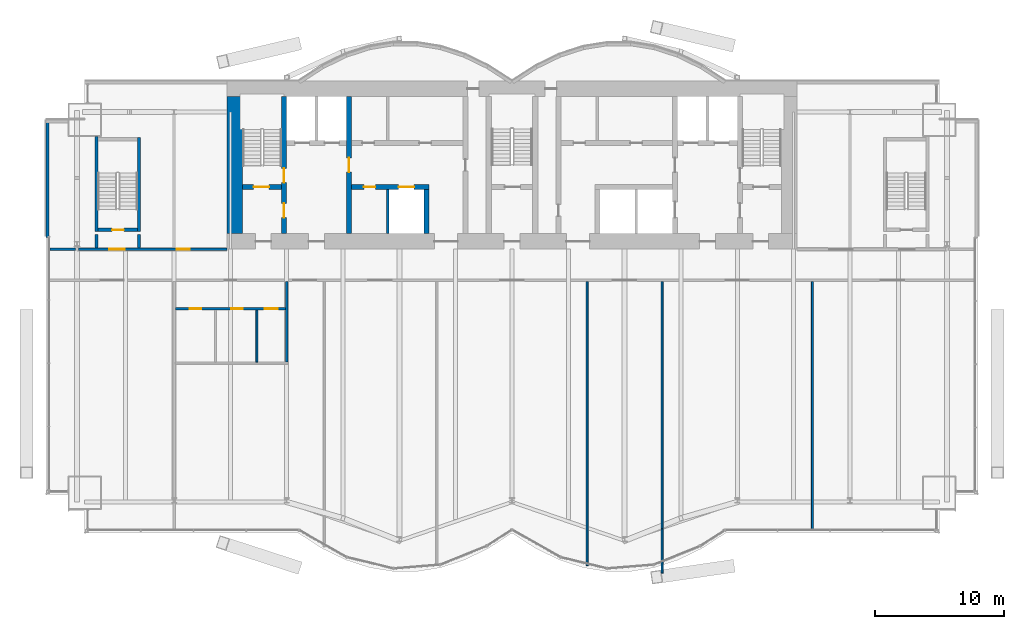
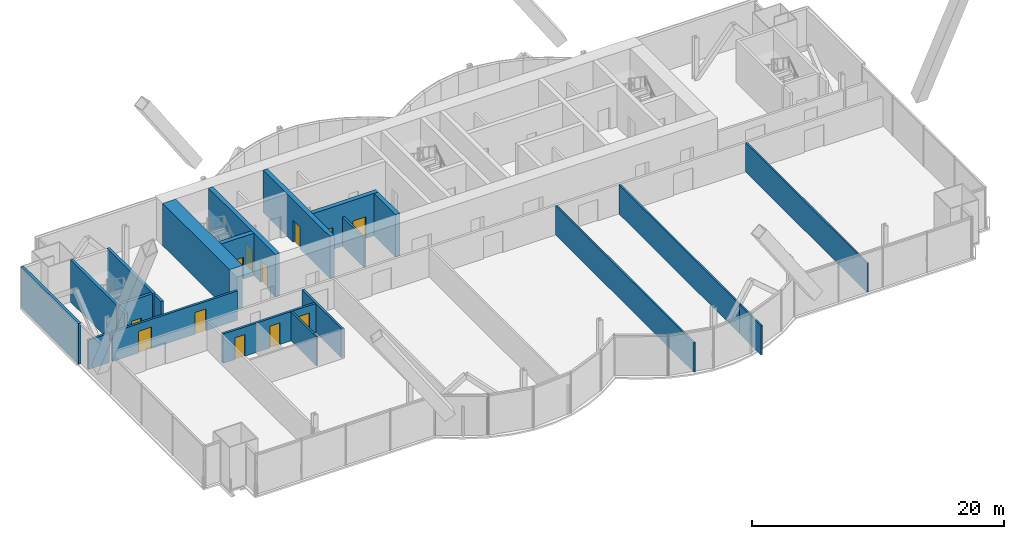
# One storey, part 18 of 24: 22 walls, 12 doors, 12 openings.
"""IFC4 building model written with IfcOpenShell, lengths in metres."""

import ifcopenshell
import ifcopenshell.guid

model = None  # the IFC model being written
_history = None  # IfcOwnerHistory: only IFC2X3 demands one
_inside = {}  # id of a spatial element -> (the spatial element, [elements in it])
_under = {}  # id of a project, library or spatial element -> (it, [spatial elements below it])
_declared = {}  # id of a project -> (the project, [libraries it declares])
_typed = {}  # id of a type object -> (the type object, [elements of that type])
_made_of = {}  # id of a material, layer set ... -> (it, [elements and type objects made of it])


def new_model(schema):
    """Start an empty IFC model of exactly this schema.

    Asked for "IFC4X3", IfcOpenShell would pick the latest addendum, in which some entities
    have other attributes; the version numbers below select the first issue.
    IFC2X3 requires an IfcOwnerHistory on every rooted entity: one is made here for all.
    """
    global model, _history
    if schema == "IFC4X3":
        model = ifcopenshell.file(schema_version=(4, 3, 0, 0))
    else:
        model = ifcopenshell.file(schema=schema)
    _inside.clear()
    _under.clear()
    _declared.clear()
    _typed.clear()
    _made_of.clear()
    _history = None
    if model.schema == "IFC2X3":
        org = make("IfcOrganization", Name="unknown")
        user = make(
            "IfcPersonAndOrganization",
            ThePerson=make("IfcPerson", FamilyName="unknown"),
            TheOrganization=org,
        )
        app = make(
            "IfcApplication",
            ApplicationDeveloper=org,
            Version="unknown",
            ApplicationFullName="unknown",
            ApplicationIdentifier="unknown",
        )
        _history = make(
            "IfcOwnerHistory",
            OwningUser=user,
            OwningApplication=app,
            ChangeAction="ADDED",
            CreationDate=0,
        )
    return model


def make(cls, **values):
    """One entity of the class cls with the attributes given. An attribute that is None is left unset."""
    return model.create_entity(
        cls, **{name: value for name, value in values.items() if value is not None}
    )


def rooted(cls, **values):
    """An entity with a GlobalId (a new one), such as an element, a storey or a relation."""
    return make(cls, GlobalId=ifcopenshell.guid.new(), OwnerHistory=_history, **values)


def si_unit(unit_type, name, prefix=None):
    """IfcSIUnit, for example si_unit("LENGTHUNIT", "METRE", prefix="MILLI")."""
    return make("IfcSIUnit", UnitType=unit_type, Prefix=prefix, Name=name)


def assignment(units):
    """IfcUnitAssignment: the units of a project."""
    return None if units is None else make("IfcUnitAssignment", Units=units)


def point(xyz):
    """IfcCartesianPoint."""
    return None if xyz is None else make("IfcCartesianPoint", Coordinates=xyz)


def direction(xyz):
    """IfcDirection."""
    return None if xyz is None else make("IfcDirection", DirectionRatios=xyz)


def frame(location, z_axis=None, x_axis=None):
    """IfcAxis2Placement3D, a coordinate frame: its origin and axes. An axis left out is left unset."""
    return make(
        "IfcAxis2Placement3D",
        Location=point(location),
        Axis=direction(z_axis),
        RefDirection=direction(x_axis),
    )


def frame_2d(location, x_axis=None):
    """IfcAxis2Placement2D, a coordinate frame in the plane: its origin and x axis."""
    return make(
        "IfcAxis2Placement2D", Location=point(location), RefDirection=direction(x_axis)
    )


def origin():
    """The frame at (0, 0, 0) with its axes left unset."""
    return frame((0.0, 0.0, 0.0))


def place(relative_to, where):
    """IfcLocalPlacement: puts the frame where relative to a parent placement (None: the world)."""
    return make(
        "IfcLocalPlacement", PlacementRelTo=relative_to, RelativePlacement=where
    )


def context(
    kind, dimensions, precision=None, world=None, true_north=None, identifier=None
):
    """IfcGeometricRepresentationContext, for example the 3D "Model" context."""
    return make(
        "IfcGeometricRepresentationContext",
        ContextIdentifier=identifier,
        ContextType=kind,
        CoordinateSpaceDimension=dimensions,
        Precision=precision,
        WorldCoordinateSystem=world,
        TrueNorth=true_north,
    )


def subcontext(parent, identifier, kind, view, scale=None):
    """IfcGeometricRepresentationSubContext, for example "Body" below "Model"."""
    return make(
        "IfcGeometricRepresentationSubContext",
        ContextIdentifier=identifier,
        ContextType=kind,
        ParentContext=parent,
        TargetScale=scale,
        TargetView=view,
    )


def project(units=None, contexts=None):
    """IfcProject with its units and contexts."""
    return rooted(
        "IfcProject",
        Name="project",
        RepresentationContexts=contexts,
        UnitsInContext=assignment(units),
    )


def spatial(cls, under=None, at=None, **own):
    """A site, building, storey or space (cls), placed at a placement, below another one or the project."""
    s = rooted(cls, ObjectPlacement=at, **own)
    if under is not None:
        _under.setdefault(under.id(), (under, []))[1].append(s)
    return s


def profile(cls, at=None, kind="AREA", **sizes):
    """A parametric profile (cls). Its sizes go by their IFC names, for example OverallWidth=200.0."""
    return make(cls, ProfileType=kind, Position=at, **sizes)


def rectangle(**sizes):
    """IfcRectangleProfileDef."""
    return profile("IfcRectangleProfileDef", **sizes)


def extrude(swept, where, along, depth):
    """IfcExtrudedAreaSolid: the profile swept, set in the frame where, extruded along a direction by depth."""
    return make(
        "IfcExtrudedAreaSolid",
        SweptArea=swept,
        Position=where,
        ExtrudedDirection=direction(along),
        Depth=depth,
    )


def shape(context_of_items, identifier, shape_type, items):
    """IfcShapeRepresentation: the items that make up one representation, for example the "Body"."""
    return make(
        "IfcShapeRepresentation",
        ContextOfItems=context_of_items,
        RepresentationIdentifier=identifier,
        RepresentationType=shape_type,
        Items=items,
    )


def material(Name=None, Category=None):
    """IfcMaterial."""
    return make("IfcMaterial", Name=Name, Category=Category)


def layer(
    of_material, thickness, ventilated=None, Name=None, Category=None, Priority=None
):
    """IfcMaterialLayer: one layer of a wall or slab, of a material (None: an air gap)."""
    return make(
        "IfcMaterialLayer",
        Material=of_material,
        LayerThickness=thickness,
        IsVentilated=ventilated,
        Name=Name,
        Category=Category,
        Priority=Priority,
    )


def layer_set(layers, Name=None):
    """IfcMaterialLayerSet."""
    return make("IfcMaterialLayerSet", MaterialLayers=layers, LayerSetName=Name)


def layer_usage(for_layer_set, set_direction, sense, offset, extent=None):
    """IfcMaterialLayerSetUsage: how a layer set lies in its element."""
    return make(
        "IfcMaterialLayerSetUsage",
        ForLayerSet=for_layer_set,
        LayerSetDirection=set_direction,
        DirectionSense=sense,
        OffsetFromReferenceLine=offset,
        ReferenceExtent=extent,
    )


def made_of(thing, what):
    """Note that an element or type object is made of a material, layer set ...; save() writes the relation."""
    if what is not None:
        _made_of.setdefault(what.id(), (what, []))[1].append(thing)
    return thing


def type_object(cls, material=None, **own):
    """A type object (cls), such as IfcWallType, which elements share."""
    return made_of(rooted(cls, **own), material)


def element(
    cls,
    number,
    at=None,
    inside=None,
    cuts=None,
    type_object=None,
    material=None,
    context=None,
    identifier="Body",
    shape_type=None,
    held_by="IfcProductDefinitionShape",
    body=None,
    shapes=None,
    **own,
):
    """One element of the class cls, such as IfcWall. Its Tag is "e" and its number.

    at: its placement. inside: the storey or other place that contains it. cuts: it is an
    opening in that element (IfcRelVoidsElement). A single representation is given by context,
    identifier, shape_type and body (its items); several are given by shapes. held_by: the class
    of the entity that holds the representations. save() writes the other relations.
    """
    e = rooted(cls, Tag="e%d" % number, ObjectPlacement=at, **own)
    if body is not None:
        shapes = [shape(context, identifier, shape_type, body)]
    if shapes is not None:
        e.Representation = make(held_by, Representations=shapes)
    if inside is not None:
        _inside.setdefault(inside.id(), (inside, []))[1].append(e)
    if cuts is not None:
        rooted(
            "IfcRelVoidsElement", RelatingBuildingElement=cuts, RelatedOpeningElement=e
        )
    if type_object is not None:
        _typed.setdefault(type_object.id(), (type_object, []))[1].append(e)
    return made_of(e, material)


def fill(opening, filler):
    """IfcRelFillsElement: the door or window that sits in an opening."""
    return rooted(
        "IfcRelFillsElement",
        RelatingOpeningElement=opening,
        RelatedBuildingElement=filler,
    )


def aggregate(whole, parts):
    """IfcRelAggregates: a whole, such as a stair, and the parts it consists of."""
    return rooted("IfcRelAggregates", RelatingObject=whole, RelatedObjects=parts)


def save(model, path):
    """Write the relations noted so far, then the file.

    IfcRelAggregates (storeys below a building ...), IfcRelContainedInSpatialStructure (elements
    in a storey), IfcRelDefinesByType, IfcRelAssociatesMaterial and IfcRelDeclares: one each for
    every whole, place, type object, material and project.
    """
    for whole, parts in _under.values():
        aggregate(whole, parts)
    for where, things in _inside.values():
        rooted(
            "IfcRelContainedInSpatialStructure",
            RelatedElements=things,
            RelatingStructure=where,
        )
    for kind, things in _typed.values():
        rooted("IfcRelDefinesByType", RelatedObjects=things, RelatingType=kind)
    for what, things in _made_of.values():
        rooted("IfcRelAssociatesMaterial", RelatedObjects=things, RelatingMaterial=what)
    for by, libraries in _declared.values():
        rooted("IfcRelDeclares", RelatingContext=by, RelatedDefinitions=libraries)
    model.write(path)


model = new_model("IFC4")

# Units and contexts
model_context = context("Model", 3, precision=1e-05, world=origin(), true_north=direction((0.0, 1.0)))
body_context = subcontext(model_context, "Body", "Model", "MODEL_VIEW")
ifc_project = project(units=[si_unit("LENGTHUNIT", "METRE"), si_unit("AREAUNIT", "SQUARE_METRE"), si_unit("VOLUMEUNIT", "CUBIC_METRE"), si_unit("PLANEANGLEUNIT", "RADIAN"), si_unit("MASSUNIT", "GRAM", prefix="KILO")], contexts=[model_context])

# Site, building, storey
site_placement = place(None, origin())
site = spatial("IfcSite", under=ifc_project, at=site_placement, CompositionType="ELEMENT")
building_placement = place(site_placement, origin())
building = spatial("IfcBuilding", under=site, at=building_placement, Name="Bicima Exchange Tower", CompositionType="ELEMENT")
storey_placement = place(building_placement, frame((0.0, 0.0, 160.89990234375)))
storey = spatial("IfcBuildingStorey", under=building, at=storey_placement, Name="L35", CompositionType="ELEMENT", Elevation=160.89990234375)

# Wall
ifc_material_1 = material(Name="Gypsum board partition")
ifc_layer_1 = layer(ifc_material_1, 0.199951171875)
ifc_layer_set_1 = layer_set([ifc_layer_1], Name="Gypsum board partition")
wall_type_1 = type_object("IfcWallType", Name="Fire-rated gypsum partition 200 EI120", PredefinedType="PARTITIONING", material=ifc_layer_set_1)
wall_1_placement = place(storey_placement, frame((-9.60009765625, -11.800048828125, 0.0), z_axis=(0.0, 0.0, 1.0), x_axis=(0.0, 1.0, 0.0)))
element("IfcWall", 1, at=wall_1_placement, inside=storey, type_object=wall_type_1, Name="partition wall 11", PredefinedType="PARTITIONING", context=body_context, shape_type="SweptSolid", body=[
    extrude(rectangle(XDim=3.400146484375, YDim=0.199951171875, at=frame_2d((1.7001953125, 0.0))), origin(), (0.0, 0.0, 1.0), 2.840576171875),
])

# Wall, openings, doors
ifc_layer_2 = layer(ifc_material_1, 0.199951171875)
ifc_layer_set_2 = layer_set([ifc_layer_2], Name="Gypsum board partition")
wall_type_2 = type_object("IfcWallType", Name="Fire-rated gypsum partition 200 EI60", PredefinedType="PARTITIONING", material=ifc_layer_set_2)
wall_2_placement = place(storey_placement, frame((-26.0, -17.60009765625, 0.0), z_axis=(0.0, 0.0, 1.0), x_axis=(1.0, 0.0, 0.0)))
wall_2 = element("IfcWall", 2, at=wall_2_placement, inside=storey, type_object=wall_type_2, Name="partition wall 2", PredefinedType="PARTITIONING", context=body_context, shape_type="SweptSolid", body=[
    extrude(rectangle(XDim=8.5, YDim=0.199951171875, at=frame_2d((4.25, 0.0))), origin(), (0.0, 0.0, 1.0), 2.840576171875),
])
opening_1_placement = place(wall_2_placement, frame((1.10009765625, 0.0, 0.0)))
opening_1 = element("IfcOpeningElement", 3, at=opening_1_placement, cuts=wall_2, Name="Opening L35-009", PredefinedType="OPENING", context=body_context, shape_type="SweptSolid", body=[
    extrude(rectangle(XDim=0.89990234375, YDim=2.10009765625, at=frame_2d((0.449951171875, 1.050048828125))), frame((0.0, 0.11181640625, 0.0), z_axis=(0.0, -1.0, 0.0), x_axis=(1.0, 0.0, 0.0)), (0.0, 0.0, 1.0), 0.223876953125),
])
opening_2_placement = place(wall_2_placement, frame((4.300048828125, 0.0, 0.0)))
opening_2 = element("IfcOpeningElement", 4, at=opening_2_placement, cuts=wall_2, Name="Opening L35-010", PredefinedType="OPENING", context=body_context, shape_type="SweptSolid", body=[
    extrude(rectangle(XDim=0.89990234375, YDim=2.10009765625, at=frame_2d((0.449951171875, 1.050048828125))), frame((0.0, 0.11181640625, 0.0), z_axis=(0.0, -1.0, 0.0), x_axis=(1.0, 0.0, 0.0)), (0.0, 0.0, 1.0), 0.223876953125),
])
opening_3_placement = place(wall_2_placement, frame((6.89990234375, 0.0, 0.0)))
opening_3 = element("IfcOpeningElement", 5, at=opening_3_placement, cuts=wall_2, Name="Opening L35-011", PredefinedType="OPENING", context=body_context, shape_type="SweptSolid", body=[
    extrude(rectangle(XDim=1.0, YDim=2.10009765625, at=frame_2d((0.5, 1.050048828125))), frame((0.0, 0.11181640625, 0.0), z_axis=(0.0, -1.0, 0.0), x_axis=(1.0, 0.0, 0.0)), (0.0, 0.0, 1.0), 0.223876953125),
])
ifc_material_2 = material(Name="Steel fire door leaf", Category="steel")
door_type_1 = type_object("IfcDoorType", Name="Door 1000 swing FD30S", OperationType="SINGLE_SWING_LEFT", PredefinedType="DOOR", material=ifc_material_2)
door_1_placement = place(opening_3_placement, frame((1.0, 0.0, 0.0), z_axis=(0.0, 0.0, 1.0), x_axis=(-1.0, 0.0, 0.0)))
door_1 = element("IfcDoor", 6, at=door_1_placement, inside=storey, type_object=door_type_1, Name="Door", OperationType="SINGLE_SWING_RIGHT", OverallHeight=2.10009765625, OverallWidth=1.0, PredefinedType="DOOR", context=body_context, shape_type="SweptSolid", body=[
    extrude(rectangle(XDim=1.0, YDim=2.10009765625, at=frame_2d((0.5, 1.050048828125))), frame((0.0, 0.02490234375, 0.0), z_axis=(0.0, -1.0, 0.0), x_axis=(1.0, 0.0, 0.0)), (0.0, 0.0, 1.0), 0.050048828125),
])
fill(opening_3, door_1)
door_type_2 = type_object("IfcDoorType", Name="Door 900 swing FD30S", OperationType="SINGLE_SWING_LEFT", PredefinedType="DOOR", material=ifc_material_2)
door_2_placement = place(opening_1_placement, frame((0.89990234375, 0.0, 0.0), z_axis=(0.0, 0.0, 1.0), x_axis=(-1.0, 0.0, 0.0)))
door_2 = element("IfcDoor", 7, at=door_2_placement, inside=storey, type_object=door_type_2, Name="Door", OperationType="SINGLE_SWING_RIGHT", OverallHeight=2.10009765625, OverallWidth=0.89990234375, PredefinedType="DOOR", context=body_context, shape_type="SweptSolid", body=[
    extrude(rectangle(XDim=0.89990234375, YDim=2.10009765625, at=frame_2d((0.449951171875, 1.050048828125))), frame((0.0, 0.02490234375, 0.0), z_axis=(0.0, -1.0, 0.0), x_axis=(1.0, 0.0, 0.0)), (0.0, 0.0, 1.0), 0.050048828125),
])
fill(opening_1, door_2)
door_3_placement = place(opening_2_placement, frame((0.89990234375, 0.0, 0.0), z_axis=(0.0, 0.0, 1.0), x_axis=(-1.0, 0.0, 0.0)))
door_3 = element("IfcDoor", 8, at=door_3_placement, inside=storey, type_object=door_type_2, Name="Door", OperationType="SINGLE_SWING_LEFT", OverallHeight=2.10009765625, OverallWidth=0.89990234375, PredefinedType="DOOR", context=body_context, shape_type="SweptSolid", body=[
    extrude(rectangle(XDim=0.89990234375, YDim=2.10009765625, at=frame_2d((0.449951171875, 1.050048828125))), frame((0.0, 0.02490234375, 0.0), z_axis=(0.0, -1.0, 0.0), x_axis=(1.0, 0.0, 0.0)), (0.0, 0.0, 1.0), 0.050048828125),
])
fill(opening_2, door_3)

# Wall
wall_3_placement = place(storey_placement, frame((-35.679931640625, -13.0, 0.0), z_axis=(0.0, 0.0, 1.0), x_axis=(1.0, 0.0, 0.0)))
element("IfcWall", 9, at=wall_3_placement, inside=storey, type_object=wall_type_2, Name="partition wall 4", PredefinedType="PARTITIONING", context=body_context, shape_type="SweptSolid", body=[
    extrude(rectangle(XDim=1.9599609375, YDim=0.199951171875, at=frame_2d((0.97998046875, 0.0))), origin(), (0.0, 0.0, 1.0), 2.840576171875),
])

# Wall, openings, doors
wall_4_placement = place(storey_placement, frame((-33.47998046875, -13.0, 0.0), z_axis=(0.0, 0.0, 1.0), x_axis=(1.0, 0.0, 0.0)))
wall_4 = element("IfcWall", 10, at=wall_4_placement, inside=storey, type_object=wall_type_2, Name="partition wall 5", PredefinedType="PARTITIONING", context=body_context, shape_type="SweptSolid", body=[
    extrude(rectangle(XDim=11.47998046875, YDim=0.199951171875, at=frame_2d((5.739990234375, 0.0))), origin(), (0.0, 0.0, 1.0), 2.840576171875),
])
opening_4_placement = place(wall_4_placement, frame((2.3798828125, 0.0, 0.0)))
opening_4 = element("IfcOpeningElement", 11, at=opening_4_placement, cuts=wall_4, Name="Opening L35-001", PredefinedType="OPENING", context=body_context, shape_type="SweptSolid", body=[
    extrude(rectangle(XDim=1.199951171875, YDim=2.10009765625, at=frame_2d((0.60009765625, 1.050048828125))), frame((0.0, 0.11181640625, 0.0), z_axis=(0.0, -1.0, 0.0), x_axis=(1.0, 0.0, 0.0)), (0.0, 0.0, 1.0), 0.223876953125),
])
opening_5_placement = place(wall_4_placement, frame((7.580078125, 0.0, 0.0)))
opening_5 = element("IfcOpeningElement", 12, at=opening_5_placement, cuts=wall_4, Name="Opening L35-005", PredefinedType="OPENING", context=body_context, shape_type="SweptSolid", body=[
    extrude(rectangle(XDim=1.0, YDim=2.10009765625, at=frame_2d((0.5, 1.050048828125))), frame((0.0, 0.11181640625, 0.0), z_axis=(0.0, -1.0, 0.0), x_axis=(1.0, 0.0, 0.0)), (0.0, 0.0, 1.0), 0.223876953125),
])
door_4_placement = place(opening_5_placement, origin())
door_4 = element("IfcDoor", 13, at=door_4_placement, inside=storey, type_object=door_type_1, Name="Door", OperationType="SINGLE_SWING_LEFT", OverallHeight=2.10009765625, OverallWidth=1.0, PredefinedType="DOOR", context=body_context, shape_type="SweptSolid", body=[
    extrude(rectangle(XDim=1.0, YDim=2.10009765625, at=frame_2d((0.5, 1.050048828125))), frame((0.0, 0.02490234375, 0.0), z_axis=(0.0, -1.0, 0.0), x_axis=(1.0, 0.0, 0.0)), (0.0, 0.0, 1.0), 0.050048828125),
])
fill(opening_5, door_4)
door_type_3 = type_object("IfcDoorType", Name="Door 1200 swing FD30S", OperationType="SINGLE_SWING_LEFT", PredefinedType="DOOR", material=ifc_material_2)
door_5_placement = place(opening_4_placement, origin())
door_5 = element("IfcDoor", 14, at=door_5_placement, inside=storey, type_object=door_type_3, Name="Door", OperationType="SINGLE_SWING_LEFT", OverallHeight=2.10009765625, OverallWidth=1.199951171875, PredefinedType="DOOR", context=body_context, shape_type="SweptSolid", body=[
    extrude(rectangle(XDim=1.199951171875, YDim=2.10009765625, at=frame_2d((0.60009765625, 1.050048828125))), frame((0.0, 0.02490234375, 0.0), z_axis=(0.0, -1.0, 0.0), x_axis=(1.0, 0.0, 0.0)), (0.0, 0.0, 1.0), 0.050048828125),
])
fill(opening_4, door_5)

# Walls
wall_5_placement = place(storey_placement, frame((-17.39990234375, -21.72509765625, 0.0), z_axis=(0.0, 0.0, 1.0), x_axis=(0.0, 1.0, 0.0)))
element("IfcWall", 15, at=wall_5_placement, inside=storey, type_object=wall_type_2, Name="partition wall 17", PredefinedType="PARTITIONING", context=body_context, shape_type="SweptSolid", body=[
    extrude(rectangle(XDim=6.22509765625, YDim=0.199951171875, at=frame_2d((3.112548828125, 0.0))), origin(), (0.0, 0.0, 1.0), 2.840576171875),
])
ifc_layer_3 = layer(ifc_material_1, 0.14990234375)
ifc_layer_set_3 = layer_set([ifc_layer_3], Name="Gypsum board partition")
wall_type_3 = type_object("IfcWallType", Name="Gypsum partition 150", PredefinedType="PARTITIONING", material=ifc_layer_set_3)
wall_6_placement = place(storey_placement, frame((-19.699951171875, -21.72509765625, 0.0), z_axis=(0.0, 0.0, 1.0), x_axis=(0.0, 1.0, 0.0)))
element("IfcWall", 16, at=wall_6_placement, inside=storey, type_object=wall_type_3, Name="partition wall 16", PredefinedType="PARTITIONING", context=body_context, shape_type="SweptSolid", body=[
    extrude(rectangle(XDim=4.025146484375, YDim=0.14990234375, at=frame_2d((2.0126953125, 0.0))), origin(), (0.0, 0.0, 1.0), 2.840576171875),
])
wall_7_placement = place(storey_placement, frame((5.800048828125, -37.429931640625, 0.0), z_axis=(0.0, 0.0, 1.0), x_axis=(0.0, 1.0, 0.0)))
element("IfcWall", 17, at=wall_7_placement, inside=storey, type_object=wall_type_3, Name="partition wall 21", PredefinedType="PARTITIONING", context=body_context, shape_type="SweptSolid", body=[
    extrude(rectangle(XDim=21.929931640625, YDim=0.14990234375, at=frame_2d((10.96484375, 0.0))), origin(), (0.0, 0.0, 1.0), 2.840576171875),
])
wall_8_placement = place(storey_placement, frame((11.60009765625, -38.024169921875, 0.0), z_axis=(0.0, 0.0, 1.0), x_axis=(0.0, 1.0, 0.0)))
element("IfcWall", 18, at=wall_8_placement, inside=storey, type_object=wall_type_3, Name="partition wall 22", PredefinedType="PARTITIONING", context=body_context, shape_type="SweptSolid", body=[
    extrude(rectangle(XDim=3.425048828125, YDim=0.14990234375, at=frame_2d((1.71240234375, 0.0))), origin(), (0.0, 0.0, 1.0), 2.840576171875),
])
wall_9_placement = place(storey_placement, frame((11.60009765625, -34.59912109375, 0.0), z_axis=(0.0, 0.0, 1.0), x_axis=(0.0, 1.0, 0.0)))
element("IfcWall", 19, at=wall_9_placement, inside=storey, type_object=wall_type_3, Name="partition wall 23", PredefinedType="PARTITIONING", context=body_context, shape_type="SweptSolid", body=[
    extrude(rectangle(XDim=19.09912109375, YDim=0.14990234375, at=frame_2d((9.549560546875, 0.0))), origin(), (0.0, 0.0, 1.0), 2.840576171875),
])
wall_10_placement = place(storey_placement, frame((23.199951171875, -34.7099609375, 0.0), z_axis=(0.0, 0.0, 1.0), x_axis=(0.0, 1.0, 0.0)))
element("IfcWall", 20, at=wall_10_placement, inside=storey, type_object=wall_type_3, Name="partition wall 24", PredefinedType="PARTITIONING", context=body_context, shape_type="SweptSolid", body=[
    extrude(rectangle(XDim=19.2099609375, YDim=0.14990234375, at=frame_2d((9.60498046875, 0.0))), origin(), (0.0, 0.0, 1.0), 2.840576171875),
])
ifc_material_3 = material(Name="Concrete C50/60", Category="concrete")
ifc_layer_4 = layer(ifc_material_3, 1.199951171875)
ifc_layer_set_4 = layer_set([ifc_layer_4], Name="Concrete C50/60")
wall_type_4 = type_object("IfcWallType", Name="RC core wall 1200 C50/60", PredefinedType="SHEAR", material=ifc_layer_set_4)
wall_11_placement = place(storey_placement, frame((-21.39990234375, -11.800048828125, 0.0), z_axis=(0.0, 0.0, 1.0), x_axis=(0.0, 1.0, 0.0)))
element("IfcWall", 21, at=wall_11_placement, inside=storey, type_object=wall_type_4, Name="Core wall west", PredefinedType="SHEAR", context=body_context, shape_type="SweptSolid", body=[
    extrude(rectangle(XDim=10.60009765625, YDim=1.199951171875, at=frame_2d((5.300048828125, 0.0))), origin(), (0.0, 0.0, 1.0), 4.10009765625),
])
ifc_layer_5 = layer(ifc_material_3, 0.25)
ifc_layer_set_5 = layer_set([ifc_layer_5], Name="Concrete C50/60")
wall_type_5 = type_object("IfcWallType", Name="RC core wall 250 C50/60", PredefinedType="SHEAR", material=ifc_layer_set_5)
for number, where, z_axis, x_axis, name in (
    (22, (-32.10009765625, -12.89990234375, 0.0), (0.0, 0.0, 1.0), (0.0, 1.0, 0.0), "stair wall 12"),
    (23, (-28.800048828125, -12.89990234375, 0.0), (0.0, 0.0, 1.0), (0.0, 1.0, 0.0), "stair wall 13"),
):
    element("IfcWall", number, at=place(storey_placement, frame(where, z_axis=z_axis, x_axis=x_axis)), inside=storey, type_object=wall_type_5, Name=name, PredefinedType="SHEAR", context=body_context, shape_type="SweptSolid", body=[
        extrude(rectangle(XDim=1.0498046875, YDim=0.25, at=frame_2d((0.52490234375, 0.0))), origin(), (0.0, 0.0, 1.0), 4.10009765625),
    ])

# Wall, opening, door
ifc_layer_6 = layer(ifc_material_3, 0.39990234375)
ifc_layer_set_6 = layer_set([ifc_layer_6], Name="Concrete C50/60")
wall_type_6 = type_object("IfcWallType", Name="RC core wall 400 C50/60", PredefinedType="SHEAR", material=ifc_layer_set_6)
wall_12_placement = place(storey_placement, frame((-20.800048828125, -8.199951171875, 0.0), z_axis=(0.0, 0.0, 1.0), x_axis=(1.0, 0.0, 0.0)))
wall_12 = element("IfcWall", 24, at=wall_12_placement, inside=storey, type_object=wall_type_6, Name="stair wall 1", PredefinedType="SHEAR", context=body_context, shape_type="SweptSolid", body=[
    extrude(rectangle(XDim=3.0, YDim=0.39990234375, at=frame_2d((1.5, 0.0))), origin(), (0.0, 0.0, 1.0), 4.10009765625),
])
opening_6_placement = place(wall_12_placement, frame((0.85009765625, 0.0, 0.0)))
opening_6 = element("IfcOpeningElement", 25, at=opening_6_placement, cuts=wall_12, Name="Opening L35-C01", PredefinedType="OPENING", context=body_context, shape_type="SweptSolid", body=[
    extrude(rectangle(XDim=1.199951171875, YDim=2.10009765625, at=frame_2d((0.60009765625, 1.050048828125))), frame((0.0, 0.2119140625, 0.0), z_axis=(0.0, -1.0, 0.0), x_axis=(1.0, 0.0, 0.0)), (0.0, 0.0, 1.0), 0.423828125),
])
door_type_4 = type_object("IfcDoorType", Name="Door 1200 swing FD60S", OperationType="SINGLE_SWING_LEFT", PredefinedType="DOOR", material=ifc_material_2)
door_6_placement = place(opening_6_placement, origin())
door_6 = element("IfcDoor", 26, at=door_6_placement, inside=storey, type_object=door_type_4, Name="Core door", OperationType="SINGLE_SWING_LEFT", OverallHeight=2.10009765625, OverallWidth=1.199951171875, PredefinedType="DOOR", context=body_context, shape_type="SweptSolid", body=[
    extrude(rectangle(XDim=1.199951171875, YDim=2.10009765625, at=frame_2d((0.60009765625, 1.050048828125))), frame((0.0, 0.02490234375, 0.0), z_axis=(0.0, -1.0, 0.0), x_axis=(1.0, 0.0, 0.0)), (0.0, 0.0, 1.0), 0.050048828125),
])
fill(opening_6, door_6)

# Wall, openings, doors
wall_13_placement = place(storey_placement, frame((-12.39990234375, -8.199951171875, 0.0), z_axis=(0.0, 0.0, 1.0), x_axis=(1.0, 0.0, 0.0)))
wall_13 = element("IfcWall", 27, at=wall_13_placement, inside=storey, type_object=wall_type_6, Name="shear wall 2", PredefinedType="SHEAR", context=body_context, shape_type="SweptSolid", body=[
    extrude(rectangle(XDim=6.0, YDim=0.39990234375, at=frame_2d((3.0, 0.0))), origin(), (0.0, 0.0, 1.0), 4.10009765625),
])
opening_7_placement = place(wall_13_placement, frame((3.64990234375, 0.0, 0.0)))
opening_7 = element("IfcOpeningElement", 28, at=opening_7_placement, cuts=wall_13, Name="Opening LD-MB1-L35", PredefinedType="OPENING", context=body_context, shape_type="SweptSolid", body=[
    extrude(rectangle(XDim=1.199951171875, YDim=2.10009765625, at=frame_2d((0.60009765625, 1.050048828125))), frame((0.0, 0.2119140625, 0.0), z_axis=(0.0, -1.0, 0.0), x_axis=(1.0, 0.0, 0.0)), (0.0, 0.0, 1.0), 0.423828125),
])
opening_8_placement = place(wall_13_placement, frame((0.949951171875, 0.0, 0.0)))
opening_8 = element("IfcOpeningElement", 29, at=opening_8_placement, cuts=wall_13, Name="Opening L35-C16", PredefinedType="OPENING", context=body_context, shape_type="SweptSolid", body=[
    extrude(rectangle(XDim=0.89990234375, YDim=2.10009765625, at=frame_2d((0.449951171875, 1.050048828125))), frame((0.0, 0.2119140625, 0.0), z_axis=(0.0, -1.0, 0.0), x_axis=(1.0, 0.0, 0.0)), (0.0, 0.0, 1.0), 0.423828125),
])
door_7_placement = place(opening_8_placement, frame((0.89990234375, 0.0, 0.0), z_axis=(0.0, 0.0, 1.0), x_axis=(-1.0, 0.0, 0.0)))
door_7 = element("IfcDoor", 30, at=door_7_placement, inside=storey, type_object=door_type_2, Name="Core door", OperationType="SINGLE_SWING_LEFT", OverallHeight=2.10009765625, OverallWidth=0.89990234375, PredefinedType="DOOR", context=body_context, shape_type="SweptSolid", body=[
    extrude(rectangle(XDim=0.89990234375, YDim=2.10009765625, at=frame_2d((0.449951171875, 1.050048828125))), frame((0.0, 0.02490234375, 0.0), z_axis=(0.0, -1.0, 0.0), x_axis=(1.0, 0.0, 0.0)), (0.0, 0.0, 1.0), 0.050048828125),
])
fill(opening_8, door_7)
ifc_material_4 = material(Name="Stainless steel", Category="steel")
door_type_5 = type_object("IfcDoorType", Name="Lift landing door 1200 sliding", OperationType="DOUBLE_DOOR_SLIDING", PredefinedType="DOOR", material=ifc_material_4)
door_8_placement = place(opening_7_placement, origin())
door_8 = element("IfcDoor", 31, at=door_8_placement, inside=storey, type_object=door_type_5, Name="Lift landing door MB1", OperationType="DOUBLE_DOOR_SLIDING", OverallHeight=2.10009765625, OverallWidth=1.199951171875, PredefinedType="DOOR", context=body_context, shape_type="SweptSolid", body=[
    extrude(rectangle(XDim=1.199951171875, YDim=2.10009765625, at=frame_2d((0.60009765625, 1.050048828125))), frame((0.0, 0.02490234375, 0.0), z_axis=(0.0, -1.0, 0.0), x_axis=(1.0, 0.0, 0.0)), (0.0, 0.0, 1.0), 0.050048828125),
])
fill(opening_7, door_8)

wall_14_placement = place(storey_placement, frame((-17.60009765625, -11.800048828125, 0.0), z_axis=(0.0, 0.0, 1.0), x_axis=(0.0, 1.0, 0.0)))
wall_14 = element("IfcWall", 32, at=wall_14_placement, inside=storey, type_object=wall_type_6, Name="stair wall 8", PredefinedType="SHEAR", context=body_context, shape_type="SweptSolid", body=[
    extrude(rectangle(XDim=10.60009765625, YDim=0.39990234375, at=frame_2d((5.300048828125, 0.0))), origin(), (0.0, 0.0, 1.0), 4.10009765625),
])
opening_9_placement = place(wall_14_placement, frame((1.25, 0.0, 0.0)))
opening_9 = element("IfcOpeningElement", 33, at=opening_9_placement, cuts=wall_14, Name="Opening L35-C02", PredefinedType="OPENING", context=body_context, shape_type="SweptSolid", body=[
    extrude(rectangle(XDim=1.10009765625, YDim=2.10009765625, at=frame_2d((0.550048828125, 1.050048828125))), frame((0.0, 0.2119140625, 0.0), z_axis=(0.0, -1.0, 0.0), x_axis=(1.0, 0.0, 0.0)), (0.0, 0.0, 1.0), 0.423828125),
])
opening_10_placement = place(wall_14_placement, frame((3.949951171875, 0.0, 0.0)))
opening_10 = element("IfcOpeningElement", 34, at=opening_10_placement, cuts=wall_14, Name="Opening L35-C06", PredefinedType="OPENING", context=body_context, shape_type="SweptSolid", body=[
    extrude(rectangle(XDim=1.10009765625, YDim=2.10009765625, at=frame_2d((0.550048828125, 1.050048828125))), frame((0.0, 0.2119140625, 0.0), z_axis=(0.0, -1.0, 0.0), x_axis=(1.0, 0.0, 0.0)), (0.0, 0.0, 1.0), 0.423828125),
])
door_type_6 = type_object("IfcDoorType", Name="Door 1100 swing FD60S", OperationType="SINGLE_SWING_LEFT", PredefinedType="DOOR", material=ifc_material_2)
door_9_placement = place(opening_9_placement, frame((1.10009765625, 0.0, 0.0), z_axis=(0.0, 0.0, 1.0), x_axis=(-1.0, 0.0, 0.0)))
door_9 = element("IfcDoor", 35, at=door_9_placement, inside=storey, type_object=door_type_6, Name="Core door", OperationType="SINGLE_SWING_LEFT", OverallHeight=2.10009765625, OverallWidth=1.10009765625, PredefinedType="DOOR", context=body_context, shape_type="SweptSolid", body=[
    extrude(rectangle(XDim=1.10009765625, YDim=2.10009765625, at=frame_2d((0.550048828125, 1.050048828125))), frame((0.0, 0.02490234375, 0.0), z_axis=(0.0, -1.0, 0.0), x_axis=(1.0, 0.0, 0.0)), (0.0, 0.0, 1.0), 0.050048828125),
])
fill(opening_9, door_9)
door_10_placement = place(opening_10_placement, frame((1.10009765625, 0.0, 0.0), z_axis=(0.0, 0.0, 1.0), x_axis=(-1.0, 0.0, 0.0)))
door_10 = element("IfcDoor", 36, at=door_10_placement, inside=storey, type_object=door_type_6, Name="Core door", OperationType="SINGLE_SWING_LEFT", OverallHeight=2.10009765625, OverallWidth=1.10009765625, PredefinedType="DOOR", context=body_context, shape_type="SweptSolid", body=[
    extrude(rectangle(XDim=1.10009765625, YDim=2.10009765625, at=frame_2d((0.550048828125, 1.050048828125))), frame((0.0, 0.02490234375, 0.0), z_axis=(0.0, -1.0, 0.0), x_axis=(1.0, 0.0, 0.0)), (0.0, 0.0, 1.0), 0.050048828125),
])
fill(opening_10, door_10)

# Wall, opening, door
wall_15_placement = place(storey_placement, frame((-12.60009765625, -11.800048828125, 0.0), z_axis=(0.0, 0.0, 1.0), x_axis=(0.0, 1.0, 0.0)))
wall_15 = element("IfcWall", 37, at=wall_15_placement, inside=storey, type_object=wall_type_6, Name="shear wall 10", PredefinedType="SHEAR", context=body_context, shape_type="SweptSolid", body=[
    extrude(rectangle(XDim=10.60009765625, YDim=0.39990234375, at=frame_2d((5.300048828125, 0.0))), origin(), (0.0, 0.0, 1.0), 4.10009765625),
])
opening_11_placement = place(wall_15_placement, frame((4.75, 0.0, 0.0)))
opening_11 = element("IfcOpeningElement", 38, at=opening_11_placement, cuts=wall_15, Name="Opening L35-C07", PredefinedType="OPENING", context=body_context, shape_type="SweptSolid", body=[
    extrude(rectangle(XDim=1.10009765625, YDim=2.10009765625, at=frame_2d((0.550048828125, 1.050048828125))), frame((0.0, 0.2119140625, 0.0), z_axis=(0.0, -1.0, 0.0), x_axis=(1.0, 0.0, 0.0)), (0.0, 0.0, 1.0), 0.423828125),
])
door_11_placement = place(opening_11_placement, origin())
door_11 = element("IfcDoor", 39, at=door_11_placement, inside=storey, type_object=door_type_6, Name="Core door", OperationType="SINGLE_SWING_LEFT", OverallHeight=2.10009765625, OverallWidth=1.10009765625, PredefinedType="DOOR", context=body_context, shape_type="SweptSolid", body=[
    extrude(rectangle(XDim=1.10009765625, YDim=2.10009765625, at=frame_2d((0.550048828125, 1.050048828125))), frame((0.0, 0.02490234375, 0.0), z_axis=(0.0, -1.0, 0.0), x_axis=(1.0, 0.0, 0.0)), (0.0, 0.0, 1.0), 0.050048828125),
])
fill(opening_11, door_11)

# Walls
wall_16_placement = place(storey_placement, frame((-6.60009765625, -11.800048828125, 0.0), z_axis=(0.0, 0.0, 1.0), x_axis=(0.0, 1.0, 0.0)))
element("IfcWall", 40, at=wall_16_placement, inside=storey, type_object=wall_type_6, Name="shear wall 13", PredefinedType="SHEAR", context=body_context, shape_type="SweptSolid", body=[
    extrude(rectangle(XDim=3.400146484375, YDim=0.39990234375, at=frame_2d((1.7001953125, 0.0))), origin(), (0.0, 0.0, 1.0), 4.10009765625),
])
ifc_layer_7 = layer(ifc_material_3, 0.25)
ifc_layer_set_7 = layer_set([ifc_layer_7], Name="Concrete C50/60")
wall_type_7 = type_object("IfcWallType", Name="RC stair enclosure wall 250 C50/60", PredefinedType="SHEAR", material=ifc_layer_set_7)
wall_17_placement = place(storey_placement, frame((-32.10009765625, -11.625, 0.0), z_axis=(0.0, 0.0, 1.0), x_axis=(0.0, 1.0, 0.0)))
element("IfcWall", 41, at=wall_17_placement, inside=storey, type_object=wall_type_7, Name="West end exit stair wall W", PredefinedType="SHEAR", context=body_context, shape_type="SweptSolid", body=[
    extrude(rectangle(XDim=7.324951171875, YDim=0.25, at=frame_2d((3.66259765625, 0.0))), origin(), (0.0, 0.0, 1.0), 4.10009765625),
])
wall_18_placement = place(storey_placement, frame((-28.800048828125, -11.625, 0.0), z_axis=(0.0, 0.0, 1.0), x_axis=(0.0, 1.0, 0.0)))
element("IfcWall", 42, at=wall_18_placement, inside=storey, type_object=wall_type_7, Name="West end exit stair wall E", PredefinedType="SHEAR", context=body_context, shape_type="SweptSolid", body=[
    extrude(rectangle(XDim=7.25, YDim=0.25, at=frame_2d((3.625, 0.0))), origin(), (0.0, 0.0, 1.0), 4.10009765625),
])

# Wall, opening, door
wall_19_placement = place(storey_placement, frame((-31.97509765625, -11.5, 0.0), z_axis=(0.0, 0.0, 1.0), x_axis=(1.0, 0.0, 0.0)))
wall_19 = element("IfcWall", 43, at=wall_19_placement, inside=storey, type_object=wall_type_7, Name="West end exit stair wall S", PredefinedType="SHEAR", context=body_context, shape_type="SweptSolid", body=[
    extrude(rectangle(XDim=3.050048828125, YDim=0.25, at=frame_2d((1.52490234375, 0.0))), origin(), (0.0, 0.0, 1.0), 4.10009765625),
])
opening_12_placement = place(wall_19_placement, frame((1.10009765625, 0.0, 0.0)))
opening_12 = element("IfcOpeningElement", 44, at=opening_12_placement, cuts=wall_19, Name="Opening L35-002", PredefinedType="OPENING", context=body_context, shape_type="SweptSolid", body=[
    extrude(rectangle(XDim=0.89990234375, YDim=2.10009765625, at=frame_2d((0.449951171875, 1.050048828125))), frame((0.0, 0.136962890625, 0.0), z_axis=(0.0, -1.0, 0.0), x_axis=(1.0, 0.0, 0.0)), (0.0, 0.0, 1.0), 0.27392578125),
])
door_type_7 = type_object("IfcDoorType", Name="Door 900 swing FD60S", OperationType="SINGLE_SWING_LEFT", PredefinedType="DOOR", material=ifc_material_2)
door_12_placement = place(opening_12_placement, origin())
door_12 = element("IfcDoor", 45, at=door_12_placement, inside=storey, type_object=door_type_7, Name="Door", OperationType="SINGLE_SWING_LEFT", OverallHeight=2.10009765625, OverallWidth=0.89990234375, PredefinedType="DOOR", context=body_context, shape_type="SweptSolid", body=[
    extrude(rectangle(XDim=0.89990234375, YDim=2.10009765625, at=frame_2d((0.449951171875, 1.050048828125))), frame((0.0, 0.02490234375, 0.0), z_axis=(0.0, -1.0, 0.0), x_axis=(1.0, 0.0, 0.0)), (0.0, 0.0, 1.0), 0.050048828125),
])
fill(opening_12, door_12)

# Wall
ifc_material_5 = material(Name="Concrete C40/50", Category="concrete")
ifc_layer_8 = layer(ifc_material_5, 0.25)
ifc_layer_set_8 = layer_set([ifc_layer_8], Name="Concrete C40/50")
ifc_layer_usage = layer_usage(ifc_layer_set_8, "AXIS2", "POSITIVE", -0.125)
wall_type_8 = type_object("IfcWallType", Name="Rear backup wall 250", PredefinedType="STANDARD", material=ifc_layer_set_8)
wall_20_placement = place(storey_placement, frame((-35.875, -3.0, 0.0), z_axis=(0.0, 0.0, 1.0), x_axis=(0.0, -1.0, 0.0)))
element("IfcWall", 46, at=wall_20_placement, inside=storey, type_object=wall_type_8, material=ifc_layer_usage, Name="Rear backup wall L35 23", PredefinedType="STANDARD", context=body_context, shape_type="SweptSolid", body=[
    extrude(rectangle(XDim=9.090087890625, YDim=0.25, at=frame_2d((4.544921875, 0.0))), origin(), (0.0, 0.0, 1.0), 3.9501953125),
])

save(model, "model.ifc")
